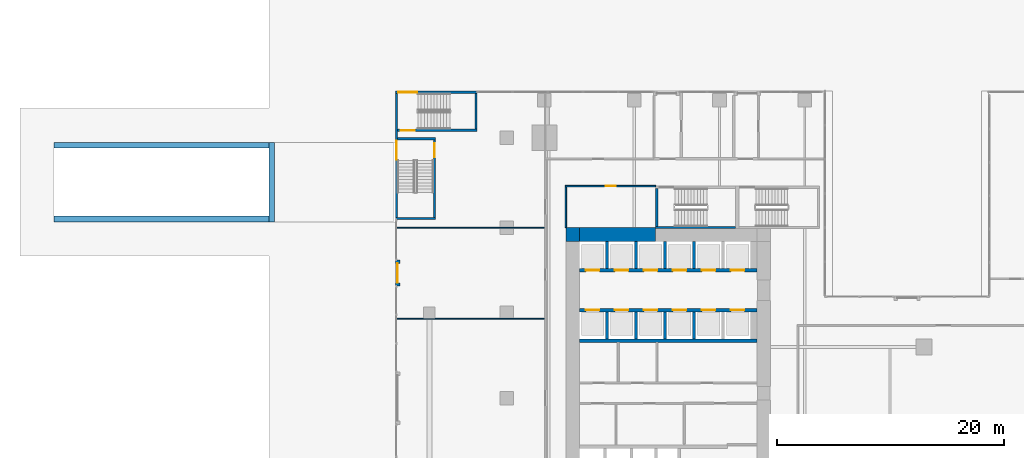
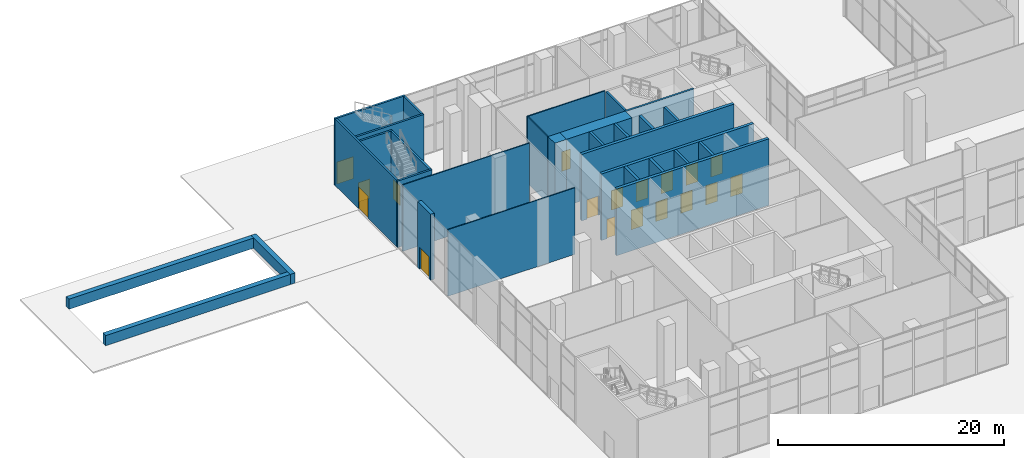
# One storey, part 39 of 52: 30 walls, 18 doors, 18 openings.
"""IFC4 building model written with IfcOpenShell, lengths in metres."""

import ifcopenshell
import ifcopenshell.guid

model = None  # the IFC model being written
_history = None  # IfcOwnerHistory: only IFC2X3 demands one
_inside = {}  # id of a spatial element -> (the spatial element, [elements in it])
_under = {}  # id of a project, library or spatial element -> (it, [spatial elements below it])
_declared = {}  # id of a project -> (the project, [libraries it declares])
_typed = {}  # id of a type object -> (the type object, [elements of that type])
_made_of = {}  # id of a material, layer set ... -> (it, [elements and type objects made of it])


def new_model(schema):
    """Start an empty IFC model of exactly this schema.

    Asked for "IFC4X3", IfcOpenShell would pick the latest addendum, in which some entities
    have other attributes; the version numbers below select the first issue.
    IFC2X3 requires an IfcOwnerHistory on every rooted entity: one is made here for all.
    """
    global model, _history
    if schema == "IFC4X3":
        model = ifcopenshell.file(schema_version=(4, 3, 0, 0))
    else:
        model = ifcopenshell.file(schema=schema)
    _inside.clear()
    _under.clear()
    _declared.clear()
    _typed.clear()
    _made_of.clear()
    _history = None
    if model.schema == "IFC2X3":
        org = make("IfcOrganization", Name="unknown")
        user = make(
            "IfcPersonAndOrganization",
            ThePerson=make("IfcPerson", FamilyName="unknown"),
            TheOrganization=org,
        )
        app = make(
            "IfcApplication",
            ApplicationDeveloper=org,
            Version="unknown",
            ApplicationFullName="unknown",
            ApplicationIdentifier="unknown",
        )
        _history = make(
            "IfcOwnerHistory",
            OwningUser=user,
            OwningApplication=app,
            ChangeAction="ADDED",
            CreationDate=0,
        )
    return model


def make(cls, **values):
    """One entity of the class cls with the attributes given. An attribute that is None is left unset."""
    return model.create_entity(
        cls, **{name: value for name, value in values.items() if value is not None}
    )


def rooted(cls, **values):
    """An entity with a GlobalId (a new one), such as an element, a storey or a relation."""
    return make(cls, GlobalId=ifcopenshell.guid.new(), OwnerHistory=_history, **values)


def si_unit(unit_type, name, prefix=None):
    """IfcSIUnit, for example si_unit("LENGTHUNIT", "METRE", prefix="MILLI")."""
    return make("IfcSIUnit", UnitType=unit_type, Prefix=prefix, Name=name)


def assignment(units):
    """IfcUnitAssignment: the units of a project."""
    return None if units is None else make("IfcUnitAssignment", Units=units)


def point(xyz):
    """IfcCartesianPoint."""
    return None if xyz is None else make("IfcCartesianPoint", Coordinates=xyz)


def direction(xyz):
    """IfcDirection."""
    return None if xyz is None else make("IfcDirection", DirectionRatios=xyz)


def frame(location, z_axis=None, x_axis=None):
    """IfcAxis2Placement3D, a coordinate frame: its origin and axes. An axis left out is left unset."""
    return make(
        "IfcAxis2Placement3D",
        Location=point(location),
        Axis=direction(z_axis),
        RefDirection=direction(x_axis),
    )


def frame_2d(location, x_axis=None):
    """IfcAxis2Placement2D, a coordinate frame in the plane: its origin and x axis."""
    return make(
        "IfcAxis2Placement2D", Location=point(location), RefDirection=direction(x_axis)
    )


def origin():
    """The frame at (0, 0, 0) with its axes left unset."""
    return frame((0.0, 0.0, 0.0))


def place(relative_to, where):
    """IfcLocalPlacement: puts the frame where relative to a parent placement (None: the world)."""
    return make(
        "IfcLocalPlacement", PlacementRelTo=relative_to, RelativePlacement=where
    )


def context(
    kind, dimensions, precision=None, world=None, true_north=None, identifier=None
):
    """IfcGeometricRepresentationContext, for example the 3D "Model" context."""
    return make(
        "IfcGeometricRepresentationContext",
        ContextIdentifier=identifier,
        ContextType=kind,
        CoordinateSpaceDimension=dimensions,
        Precision=precision,
        WorldCoordinateSystem=world,
        TrueNorth=true_north,
    )


def subcontext(parent, identifier, kind, view, scale=None):
    """IfcGeometricRepresentationSubContext, for example "Body" below "Model"."""
    return make(
        "IfcGeometricRepresentationSubContext",
        ContextIdentifier=identifier,
        ContextType=kind,
        ParentContext=parent,
        TargetScale=scale,
        TargetView=view,
    )


def project(units=None, contexts=None):
    """IfcProject with its units and contexts."""
    return rooted(
        "IfcProject",
        Name="project",
        RepresentationContexts=contexts,
        UnitsInContext=assignment(units),
    )


def spatial(cls, under=None, at=None, **own):
    """A site, building, storey or space (cls), placed at a placement, below another one or the project."""
    s = rooted(cls, ObjectPlacement=at, **own)
    if under is not None:
        _under.setdefault(under.id(), (under, []))[1].append(s)
    return s


def profile(cls, at=None, kind="AREA", **sizes):
    """A parametric profile (cls). Its sizes go by their IFC names, for example OverallWidth=200.0."""
    return make(cls, ProfileType=kind, Position=at, **sizes)


def rectangle(**sizes):
    """IfcRectangleProfileDef."""
    return profile("IfcRectangleProfileDef", **sizes)


def extrude(swept, where, along, depth):
    """IfcExtrudedAreaSolid: the profile swept, set in the frame where, extruded along a direction by depth."""
    return make(
        "IfcExtrudedAreaSolid",
        SweptArea=swept,
        Position=where,
        ExtrudedDirection=direction(along),
        Depth=depth,
    )


def shape(context_of_items, identifier, shape_type, items):
    """IfcShapeRepresentation: the items that make up one representation, for example the "Body"."""
    return make(
        "IfcShapeRepresentation",
        ContextOfItems=context_of_items,
        RepresentationIdentifier=identifier,
        RepresentationType=shape_type,
        Items=items,
    )


def source(mapping_origin, context_of_items, identifier, shape_type, items):
    """IfcRepresentationMap: a shape defined once, which mapped items show again and again."""
    return make(
        "IfcRepresentationMap",
        MappingOrigin=mapping_origin,
        MappedRepresentation=shape(context_of_items, identifier, shape_type, items),
    )


def transform(
    local_origin,
    x_axis=None,
    y_axis=None,
    z_axis=None,
    scale=None,
    scale2=None,
    scale3=None,
    uniform=True,
):
    """IfcCartesianTransformationOperator3D, or its non-uniform kind. x_axis, y_axis, z_axis: its Axis1, 2, 3."""
    if uniform:
        return make(
            "IfcCartesianTransformationOperator3D",
            Axis1=direction(x_axis),
            Axis2=direction(y_axis),
            LocalOrigin=point(local_origin),
            Scale=scale,
            Axis3=direction(z_axis),
        )
    return make(
        "IfcCartesianTransformationOperator3DnonUniform",
        Axis1=direction(x_axis),
        Axis2=direction(y_axis),
        LocalOrigin=point(local_origin),
        Scale=scale,
        Axis3=direction(z_axis),
        Scale2=scale2,
        Scale3=scale3,
    )


def mapped(mapping_source, mapping_target):
    """IfcMappedItem: shows the shape of a source again, moved by a transform."""
    return make(
        "IfcMappedItem", MappingSource=mapping_source, MappingTarget=mapping_target
    )


def material(Name=None, Category=None):
    """IfcMaterial."""
    return make("IfcMaterial", Name=Name, Category=Category)


def layer(
    of_material, thickness, ventilated=None, Name=None, Category=None, Priority=None
):
    """IfcMaterialLayer: one layer of a wall or slab, of a material (None: an air gap)."""
    return make(
        "IfcMaterialLayer",
        Material=of_material,
        LayerThickness=thickness,
        IsVentilated=ventilated,
        Name=Name,
        Category=Category,
        Priority=Priority,
    )


def layer_set(layers, Name=None):
    """IfcMaterialLayerSet."""
    return make("IfcMaterialLayerSet", MaterialLayers=layers, LayerSetName=Name)


def made_of(thing, what):
    """Note that an element or type object is made of a material, layer set ...; save() writes the relation."""
    if what is not None:
        _made_of.setdefault(what.id(), (what, []))[1].append(thing)
    return thing


def type_object(cls, material=None, **own):
    """A type object (cls), such as IfcWallType, which elements share."""
    return made_of(rooted(cls, **own), material)


def element(
    cls,
    number,
    at=None,
    inside=None,
    cuts=None,
    type_object=None,
    material=None,
    context=None,
    identifier="Body",
    shape_type=None,
    held_by="IfcProductDefinitionShape",
    body=None,
    shapes=None,
    **own,
):
    """One element of the class cls, such as IfcWall. Its Tag is "e" and its number.

    at: its placement. inside: the storey or other place that contains it. cuts: it is an
    opening in that element (IfcRelVoidsElement). A single representation is given by context,
    identifier, shape_type and body (its items); several are given by shapes. held_by: the class
    of the entity that holds the representations. save() writes the other relations.
    """
    e = rooted(cls, Tag="e%d" % number, ObjectPlacement=at, **own)
    if body is not None:
        shapes = [shape(context, identifier, shape_type, body)]
    if shapes is not None:
        e.Representation = make(held_by, Representations=shapes)
    if inside is not None:
        _inside.setdefault(inside.id(), (inside, []))[1].append(e)
    if cuts is not None:
        rooted(
            "IfcRelVoidsElement", RelatingBuildingElement=cuts, RelatedOpeningElement=e
        )
    if type_object is not None:
        _typed.setdefault(type_object.id(), (type_object, []))[1].append(e)
    return made_of(e, material)


def fill(opening, filler):
    """IfcRelFillsElement: the door or window that sits in an opening."""
    return rooted(
        "IfcRelFillsElement",
        RelatingOpeningElement=opening,
        RelatedBuildingElement=filler,
    )


def aggregate(whole, parts):
    """IfcRelAggregates: a whole, such as a stair, and the parts it consists of."""
    return rooted("IfcRelAggregates", RelatingObject=whole, RelatedObjects=parts)


def save(model, path):
    """Write the relations noted so far, then the file.

    IfcRelAggregates (storeys below a building ...), IfcRelContainedInSpatialStructure (elements
    in a storey), IfcRelDefinesByType, IfcRelAssociatesMaterial and IfcRelDeclares: one each for
    every whole, place, type object, material and project.
    """
    for whole, parts in _under.values():
        aggregate(whole, parts)
    for where, things in _inside.values():
        rooted(
            "IfcRelContainedInSpatialStructure",
            RelatedElements=things,
            RelatingStructure=where,
        )
    for kind, things in _typed.values():
        rooted("IfcRelDefinesByType", RelatedObjects=things, RelatingType=kind)
    for what, things in _made_of.values():
        rooted("IfcRelAssociatesMaterial", RelatedObjects=things, RelatingMaterial=what)
    for by, libraries in _declared.values():
        rooted("IfcRelDeclares", RelatingContext=by, RelatedDefinitions=libraries)
    model.write(path)


model = new_model("IFC4")

# Units and contexts
model_context = context("Model", 3, precision=1e-05, world=origin(), true_north=direction((0.0, 1.0)))
body_context = subcontext(model_context, "Body", "Model", "MODEL_VIEW")
ifc_project = project(units=[si_unit("LENGTHUNIT", "METRE"), si_unit("AREAUNIT", "SQUARE_METRE"), si_unit("VOLUMEUNIT", "CUBIC_METRE"), si_unit("PLANEANGLEUNIT", "RADIAN"), si_unit("MASSUNIT", "GRAM", prefix="KILO")], contexts=[model_context])

# Site, building, storey
site_placement = place(None, origin())
site = spatial("IfcSite", under=ifc_project, at=site_placement, CompositionType="ELEMENT")
building_placement = place(site_placement, origin())
building = spatial("IfcBuilding", under=site, at=building_placement, Name="Khomas Fold Tower", CompositionType="ELEMENT")
storey_placement = place(building_placement, origin())
storey = spatial("IfcBuildingStorey", under=building, at=storey_placement, Name="L00", CompositionType="ELEMENT", Elevation=0.0)

# Walls
ifc_material_1 = material(Name="Concrete C70/85", Category="concrete")
ifc_layer_1 = layer(ifc_material_1, 1.199951171875)
ifc_layer_set_1 = layer_set([ifc_layer_1], Name="Concrete C70/85")
wall_type_1 = type_object("IfcWallType", Name="Core wall 1200", PredefinedType="SHEAR", material=ifc_layer_set_1)
shared_shape_1 = source(origin(), body_context, "Body", "SweptSolid", [
    extrude(rectangle(XDim=6.699951171875, YDim=1.199951171875, at=frame_2d((3.35009765625, 0.0))), origin(), (0.0, 0.0, 1.0), 7.199951171875),
])
wall_1_placement = place(storey_placement, frame((7.199951171875, 41.39990234375, 0.0), z_axis=(0.0, 0.0, 1.0), x_axis=(1.0, 0.0, 0.0)))
element("IfcWall", 1, at=wall_1_placement, inside=storey, type_object=wall_type_1, Name="Core wall CW-L-N-B2", PredefinedType="SHEAR", context=body_context, shape_type="MappedRepresentation", body=[
    mapped(shared_shape_1, transform((0.0, 0.0, 0.0))),
])
ifc_material_2 = material(Name="Concrete C70/85", Category="concrete")
ifc_layer_2 = layer(ifc_material_2, 1.199951171875)
ifc_layer_set_2 = layer_set([ifc_layer_2], Name="Concrete C70/85")
wall_type_2 = type_object("IfcWallType", Name="Core corner wall 1200", PredefinedType="SHEAR", material=ifc_layer_set_2)
shared_shape_2 = source(origin(), body_context, "Body", "SweptSolid", [
    extrude(rectangle(XDim=1.199951171875, YDim=1.199951171875, at=frame_2d((0.60009765625, 0.0))), origin(), (0.0, 0.0, 1.0), 7.199951171875),
])
wall_2_placement = place(storey_placement, frame((6.0, 41.39990234375, 0.0), z_axis=(0.0, 0.0, 1.0), x_axis=(1.0, 0.0, 0.0)))
element("IfcWall", 2, at=wall_2_placement, inside=storey, type_object=wall_type_2, Name="Core wall CW-L-NW-B2", PredefinedType="SHEAR", context=body_context, shape_type="MappedRepresentation", body=[
    mapped(shared_shape_2, transform((0.0, 0.0, 0.0))),
])
ifc_material_3 = material(Name="Concrete C50/60", Category="concrete")
ifc_layer_3 = layer(ifc_material_3, 0.199951171875)
ifc_layer_set_3 = layer_set([ifc_layer_3], Name="Concrete C50/60")
wall_type_3 = type_object("IfcWallType", Name="Stair wall 200", PredefinedType="SHEAR", material=ifc_layer_set_3)
shared_shape_3 = source(origin(), body_context, "Body", "SweptSolid", [
    extrude(rectangle(XDim=7.0, YDim=0.199951171875, at=frame_2d((3.5, 0.0))), origin(), (0.0, 0.0, 1.0), 7.199951171875),
])
wall_3_placement = place(storey_placement, frame((13.89990234375, 42.0, 0.0), z_axis=(0.0, 0.0, 1.0), x_axis=(1.0, 0.0, 0.0)))
element("IfcWall", 3, at=wall_3_placement, inside=storey, type_object=wall_type_3, Name="Stair wall SW-ST1-S", PredefinedType="SHEAR", context=body_context, shape_type="MappedRepresentation", body=[
    mapped(shared_shape_3, transform((0.0, 0.0, 0.0))),
])

# Wall, opening, door
ifc_material_4 = material(Name="Concrete C30/37", Category="concrete")
ifc_layer_4 = layer(ifc_material_4, 0.199951171875)
ifc_layer_set_4 = layer_set([ifc_layer_4], Name="Concrete C30/37")
wall_type_4 = type_object("IfcWallType", Name="Stair wall PW5 200", PredefinedType="PARTITIONING", material=ifc_layer_set_4)
wall_4_placement = place(storey_placement, frame((-8.800048828125, 50.550048828125, 0.0), z_axis=(0.0, 0.0, 1.0), x_axis=(1.0, 0.0, 0.0)))
wall_4 = element("IfcWall", 4, at=wall_4_placement, inside=storey, type_object=wall_type_4, Name="Stair wall", PredefinedType="PARTITIONING", context=body_context, shape_type="MappedRepresentation", body=[
    mapped(shared_shape_3, transform((0.0, 0.0, 0.0))),
])
shared_shape_4 = source(origin(), body_context, "Body", "SweptSolid", [
    extrude(rectangle(XDim=1.199951171875, YDim=2.10009765625, at=frame_2d((0.60009765625, 1.050048828125))), frame((0.0, 0.10986328125, 0.0), z_axis=(0.0, -1.0, 0.0), x_axis=(1.0, 0.0, 0.0)), (0.0, 0.0, 1.0), 0.219970703125),
])
opening_1_placement = place(wall_4_placement, frame((0.300048828125, 0.0, 0.0)))
opening_1 = element("IfcOpeningElement", 5, at=opening_1_placement, cuts=wall_4, Name="Opening 0018", PredefinedType="OPENING", context=body_context, shape_type="MappedRepresentation", body=[
    mapped(shared_shape_4, transform((0.0, 0.0, 0.0))),
])
ifc_material_5 = material(Name="Steel door leaf", Category="steel")
door_type_1 = type_object("IfcDoorType", Name="Stair door 1200x2100 right-hand", OperationType="SINGLE_SWING_RIGHT", PredefinedType="DOOR", material=ifc_material_5)
shared_shape_5 = source(origin(), body_context, "Body", "SweptSolid", [
    extrude(rectangle(XDim=1.199951171875, YDim=2.10009765625, at=frame_2d((0.60009765625, 1.050048828125))), frame((0.0, 0.02490234375, 0.0), z_axis=(0.0, -1.0, 0.0), x_axis=(1.0, 0.0, 0.0)), (0.0, 0.0, 1.0), 0.050048828125),
])
door_1_placement = place(opening_1_placement, origin())
door_1 = element("IfcDoor", 6, at=door_1_placement, inside=storey, type_object=door_type_1, Name="Stair door", OperationType="SINGLE_SWING_RIGHT", OverallHeight=2.10009765625, OverallWidth=1.199951171875, PredefinedType="DOOR", context=body_context, shape_type="MappedRepresentation", body=[
    mapped(shared_shape_5, transform((0.0, 0.0, 0.0))),
])
fill(opening_1, door_1)

# Walls
shared_shape_6 = source(origin(), body_context, "Body", "SweptSolid", [
    extrude(rectangle(XDim=3.349853515625, YDim=0.199951171875, at=frame_2d((1.6748046875, 0.0))), origin(), (0.0, 0.0, 1.0), 7.199951171875),
])
wall_5_placement = place(storey_placement, frame((14.0, 42.10009765625, 0.0), z_axis=(0.0, 0.0, 1.0), x_axis=(0.0, 1.0, 0.0)))
element("IfcWall", 7, at=wall_5_placement, inside=storey, type_object=wall_type_3, Name="Stair wall SW-ST1-W", PredefinedType="SHEAR", context=body_context, shape_type="MappedRepresentation", body=[
    mapped(shared_shape_6, transform((0.0, 0.0, 0.0))),
])
ifc_material_6 = material(Name="Concrete C50/60", Category="concrete")
ifc_layer_5 = layer(ifc_material_6, 0.300048828125)
ifc_layer_set_5 = layer_set([ifc_layer_5], Name="Concrete C50/60")
wall_type_5 = type_object("IfcWallType", Name="Shaft wall 300", PredefinedType="STANDARD", material=ifc_layer_set_5)
shared_shape_7 = source(origin(), body_context, "Body", "SweptSolid", [
    extrude(rectangle(XDim=15.60009765625, YDim=0.300048828125, at=frame_2d((7.800048828125, 0.0))), origin(), (0.0, 0.0, 1.0), 7.199951171875),
])
wall_6_placement = place(storey_placement, frame((7.199951171875, 32.050048828125, 0.0), z_axis=(0.0, 0.0, 1.0), x_axis=(1.0, 0.0, 0.0)))
element("IfcWall", 8, at=wall_6_placement, inside=storey, type_object=wall_type_5, Name="Core wall SW-HRN-B", PredefinedType="STANDARD", context=body_context, shape_type="MappedRepresentation", body=[
    mapped(shared_shape_7, transform((0.0, 0.0, 0.0))),
])

# Wall, openings, doors
wall_7_placement = place(storey_placement, frame((7.199951171875, 38.25, 0.0), z_axis=(0.0, 0.0, 1.0), x_axis=(1.0, 0.0, 0.0)))
wall_7 = element("IfcWall", 9, at=wall_7_placement, inside=storey, type_object=wall_type_5, Name="Core wall SW-LRN-F", PredefinedType="STANDARD", context=body_context, shape_type="MappedRepresentation", body=[
    mapped(shared_shape_7, transform((0.0, 0.0, 0.0))),
])
shared_shape_8 = source(origin(), body_context, "Body", "SweptSolid", [
    extrude(rectangle(XDim=1.199951171875, YDim=2.10009765625, at=frame_2d((0.60009765625, 1.050048828125))), frame((0.0, 0.159912109375, 0.0), z_axis=(0.0, -1.0, 0.0), x_axis=(1.0, 0.0, 0.0)), (0.0, 0.0, 1.0), 0.320068359375),
])
opening_2_placement = place(wall_7_placement, frame((0.550048828125, 0.0, 0.0)))
opening_2 = element("IfcOpeningElement", 10, at=opening_2_placement, cuts=wall_7, Name="Opening LD-LR5", PredefinedType="OPENING", context=body_context, shape_type="MappedRepresentation", body=[
    mapped(shared_shape_8, transform((0.0, 0.0, 0.0))),
])
opening_3_placement = place(wall_7_placement, frame((3.10009765625, 0.0, 0.0)))
opening_3 = element("IfcOpeningElement", 11, at=opening_3_placement, cuts=wall_7, Name="Opening LD-LR6", PredefinedType="OPENING", context=body_context, shape_type="MappedRepresentation", body=[
    mapped(shared_shape_8, transform((0.0, 0.0, 0.0))),
])
opening_4_placement = place(wall_7_placement, frame((5.64990234375, 0.0, 0.0)))
opening_4 = element("IfcOpeningElement", 12, at=opening_4_placement, cuts=wall_7, Name="Opening LD-LR7", PredefinedType="OPENING", context=body_context, shape_type="MappedRepresentation", body=[
    mapped(shared_shape_8, transform((0.0, 0.0, 0.0))),
])
opening_5_placement = place(wall_7_placement, frame((8.199951171875, 0.0, 0.0)))
opening_5 = element("IfcOpeningElement", 13, at=opening_5_placement, cuts=wall_7, Name="Opening LD-LR8", PredefinedType="OPENING", context=body_context, shape_type="MappedRepresentation", body=[
    mapped(shared_shape_8, transform((0.0, 0.0, 0.0))),
])
opening_6_placement = place(wall_7_placement, frame((10.75, 0.0, 0.0)))
opening_6 = element("IfcOpeningElement", 14, at=opening_6_placement, cuts=wall_7, Name="Opening LD-S3", PredefinedType="OPENING", context=body_context, shape_type="MappedRepresentation", body=[
    mapped(shared_shape_8, transform((0.0, 0.0, 0.0))),
])
opening_7_placement = place(wall_7_placement, frame((13.300048828125, 0.0, 0.0)))
opening_7 = element("IfcOpeningElement", 15, at=opening_7_placement, cuts=wall_7, Name="Opening LD-S4", PredefinedType="OPENING", context=body_context, shape_type="MappedRepresentation", body=[
    mapped(shared_shape_8, transform((0.0, 0.0, 0.0))),
])
ifc_material_7 = material(Name="Steel door leaf", Category="steel")
door_type_2 = type_object("IfcDoorType", Name="Landing door 1200x2100", OperationType="DOUBLE_DOOR_SLIDING", PredefinedType="DOOR", material=ifc_material_7)
door_2_placement = place(opening_2_placement, origin())
door_2 = element("IfcDoor", 16, at=door_2_placement, inside=storey, type_object=door_type_2, Name="Lift landing door", OperationType="DOUBLE_DOOR_SLIDING", OverallHeight=2.10009765625, OverallWidth=1.199951171875, PredefinedType="DOOR", context=body_context, shape_type="MappedRepresentation", body=[
    mapped(shared_shape_5, transform((0.0, 0.0, 0.0))),
])
fill(opening_2, door_2)
door_3_placement = place(opening_3_placement, origin())
door_3 = element("IfcDoor", 17, at=door_3_placement, inside=storey, type_object=door_type_2, Name="Lift landing door", OperationType="DOUBLE_DOOR_SLIDING", OverallHeight=2.10009765625, OverallWidth=1.199951171875, PredefinedType="DOOR", context=body_context, shape_type="MappedRepresentation", body=[
    mapped(shared_shape_5, transform((0.0, 0.0, 0.0))),
])
fill(opening_3, door_3)
door_4_placement = place(opening_4_placement, origin())
door_4 = element("IfcDoor", 18, at=door_4_placement, inside=storey, type_object=door_type_2, Name="Lift landing door", OperationType="DOUBLE_DOOR_SLIDING", OverallHeight=2.10009765625, OverallWidth=1.199951171875, PredefinedType="DOOR", context=body_context, shape_type="MappedRepresentation", body=[
    mapped(shared_shape_5, transform((0.0, 0.0, 0.0))),
])
fill(opening_4, door_4)
door_5_placement = place(opening_5_placement, origin())
door_5 = element("IfcDoor", 19, at=door_5_placement, inside=storey, type_object=door_type_2, Name="Lift landing door", OperationType="DOUBLE_DOOR_SLIDING", OverallHeight=2.10009765625, OverallWidth=1.199951171875, PredefinedType="DOOR", context=body_context, shape_type="MappedRepresentation", body=[
    mapped(shared_shape_5, transform((0.0, 0.0, 0.0))),
])
fill(opening_5, door_5)
door_6_placement = place(opening_6_placement, origin())
door_6 = element("IfcDoor", 20, at=door_6_placement, inside=storey, type_object=door_type_2, Name="Lift landing door", OperationType="DOUBLE_DOOR_SLIDING", OverallHeight=2.10009765625, OverallWidth=1.199951171875, PredefinedType="DOOR", context=body_context, shape_type="MappedRepresentation", body=[
    mapped(shared_shape_5, transform((0.0, 0.0, 0.0))),
])
fill(opening_6, door_6)
door_7_placement = place(opening_7_placement, origin())
door_7 = element("IfcDoor", 21, at=door_7_placement, inside=storey, type_object=door_type_2, Name="Lift landing door", OperationType="DOUBLE_DOOR_SLIDING", OverallHeight=2.10009765625, OverallWidth=1.199951171875, PredefinedType="DOOR", context=body_context, shape_type="MappedRepresentation", body=[
    mapped(shared_shape_5, transform((0.0, 0.0, 0.0))),
])
fill(opening_7, door_7)

wall_8_placement = place(storey_placement, frame((7.199951171875, 34.75, 0.0), z_axis=(0.0, 0.0, 1.0), x_axis=(1.0, 0.0, 0.0)))
wall_8 = element("IfcWall", 22, at=wall_8_placement, inside=storey, type_object=wall_type_5, Name="Core wall SW-LRS-F", PredefinedType="STANDARD", context=body_context, shape_type="MappedRepresentation", body=[
    mapped(shared_shape_7, transform((0.0, 0.0, 0.0))),
])
opening_8_placement = place(wall_8_placement, frame((0.550048828125, 0.0, 0.0)))
opening_8 = element("IfcOpeningElement", 23, at=opening_8_placement, cuts=wall_8, Name="Opening LD-LR1", PredefinedType="OPENING", context=body_context, shape_type="MappedRepresentation", body=[
    mapped(shared_shape_8, transform((0.0, 0.0, 0.0))),
])
opening_9_placement = place(wall_8_placement, frame((3.10009765625, 0.0, 0.0)))
opening_9 = element("IfcOpeningElement", 24, at=opening_9_placement, cuts=wall_8, Name="Opening LD-LR2", PredefinedType="OPENING", context=body_context, shape_type="MappedRepresentation", body=[
    mapped(shared_shape_8, transform((0.0, 0.0, 0.0))),
])
opening_10_placement = place(wall_8_placement, frame((5.64990234375, 0.0, 0.0)))
opening_10 = element("IfcOpeningElement", 25, at=opening_10_placement, cuts=wall_8, Name="Opening LD-LR3", PredefinedType="OPENING", context=body_context, shape_type="MappedRepresentation", body=[
    mapped(shared_shape_8, transform((0.0, 0.0, 0.0))),
])
opening_11_placement = place(wall_8_placement, frame((8.199951171875, 0.0, 0.0)))
opening_11 = element("IfcOpeningElement", 26, at=opening_11_placement, cuts=wall_8, Name="Opening LD-LR4", PredefinedType="OPENING", context=body_context, shape_type="MappedRepresentation", body=[
    mapped(shared_shape_8, transform((0.0, 0.0, 0.0))),
])
opening_12_placement = place(wall_8_placement, frame((10.75, 0.0, 0.0)))
opening_12 = element("IfcOpeningElement", 27, at=opening_12_placement, cuts=wall_8, Name="Opening LD-S1", PredefinedType="OPENING", context=body_context, shape_type="MappedRepresentation", body=[
    mapped(shared_shape_8, transform((0.0, 0.0, 0.0))),
])
opening_13_placement = place(wall_8_placement, frame((13.300048828125, 0.0, 0.0)))
opening_13 = element("IfcOpeningElement", 28, at=opening_13_placement, cuts=wall_8, Name="Opening LD-S2", PredefinedType="OPENING", context=body_context, shape_type="MappedRepresentation", body=[
    mapped(shared_shape_8, transform((0.0, 0.0, 0.0))),
])
door_8_placement = place(opening_8_placement, origin())
door_8 = element("IfcDoor", 29, at=door_8_placement, inside=storey, type_object=door_type_2, Name="Lift landing door", OperationType="DOUBLE_DOOR_SLIDING", OverallHeight=2.10009765625, OverallWidth=1.199951171875, PredefinedType="DOOR", context=body_context, shape_type="MappedRepresentation", body=[
    mapped(shared_shape_5, transform((0.0, 0.0, 0.0))),
])
fill(opening_8, door_8)
door_9_placement = place(opening_9_placement, origin())
door_9 = element("IfcDoor", 30, at=door_9_placement, inside=storey, type_object=door_type_2, Name="Lift landing door", OperationType="DOUBLE_DOOR_SLIDING", OverallHeight=2.10009765625, OverallWidth=1.199951171875, PredefinedType="DOOR", context=body_context, shape_type="MappedRepresentation", body=[
    mapped(shared_shape_5, transform((0.0, 0.0, 0.0))),
])
fill(opening_9, door_9)
door_10_placement = place(opening_10_placement, origin())
door_10 = element("IfcDoor", 31, at=door_10_placement, inside=storey, type_object=door_type_2, Name="Lift landing door", OperationType="DOUBLE_DOOR_SLIDING", OverallHeight=2.10009765625, OverallWidth=1.199951171875, PredefinedType="DOOR", context=body_context, shape_type="MappedRepresentation", body=[
    mapped(shared_shape_5, transform((0.0, 0.0, 0.0))),
])
fill(opening_10, door_10)
door_11_placement = place(opening_11_placement, origin())
door_11 = element("IfcDoor", 32, at=door_11_placement, inside=storey, type_object=door_type_2, Name="Lift landing door", OperationType="DOUBLE_DOOR_SLIDING", OverallHeight=2.10009765625, OverallWidth=1.199951171875, PredefinedType="DOOR", context=body_context, shape_type="MappedRepresentation", body=[
    mapped(shared_shape_5, transform((0.0, 0.0, 0.0))),
])
fill(opening_11, door_11)
door_12_placement = place(opening_12_placement, origin())
door_12 = element("IfcDoor", 33, at=door_12_placement, inside=storey, type_object=door_type_2, Name="Lift landing door", OperationType="DOUBLE_DOOR_SLIDING", OverallHeight=2.10009765625, OverallWidth=1.199951171875, PredefinedType="DOOR", context=body_context, shape_type="MappedRepresentation", body=[
    mapped(shared_shape_5, transform((0.0, 0.0, 0.0))),
])
fill(opening_12, door_12)
door_13_placement = place(opening_13_placement, origin())
door_13 = element("IfcDoor", 34, at=door_13_placement, inside=storey, type_object=door_type_2, Name="Lift landing door", OperationType="DOUBLE_DOOR_SLIDING", OverallHeight=2.10009765625, OverallWidth=1.199951171875, PredefinedType="DOOR", context=body_context, shape_type="MappedRepresentation", body=[
    mapped(shared_shape_5, transform((0.0, 0.0, 0.0))),
])
fill(opening_13, door_13)

# Walls
ifc_material_8 = material(Name="Concrete C50/60", Category="concrete")
ifc_layer_6 = layer(ifc_material_8, 0.25)
ifc_layer_set_6 = layer_set([ifc_layer_6], Name="Concrete C50/60")
wall_type_6 = type_object("IfcWallType", Name="Shaft wall 250", PredefinedType="STANDARD", material=ifc_layer_set_6)
shared_shape_9 = source(origin(), body_context, "Body", "SweptSolid", [
    extrude(rectangle(XDim=2.400146484375, YDim=0.25, at=frame_2d((1.2001953125, 0.0))), origin(), (0.0, 0.0, 1.0), 7.199951171875),
])
for number, where, z_axis, x_axis, name in (
    (35, (9.625, 38.39990234375, 0.0), (0.0, 0.0, 1.0), (0.0, 1.0, 0.0), "Core wall SW-LRN-P1"),
    (36, (12.175048828125, 38.39990234375, 0.0), (0.0, 0.0, 1.0), (0.0, 1.0, 0.0), "Core wall SW-LRN-P2"),
    (37, (14.72509765625, 38.39990234375, 0.0), (0.0, 0.0, 1.0), (0.0, 1.0, 0.0), "Core wall SW-LRN-P3"),
    (38, (17.27490234375, 38.39990234375, 0.0), (0.0, 0.0, 1.0), (0.0, 1.0, 0.0), "Core wall SW-LRN-P4"),
    (39, (9.625, 32.199951171875, 0.0), (0.0, 0.0, 1.0), (0.0, 1.0, 0.0), "Core wall SW-LRS-P1"),
    (40, (12.175048828125, 32.199951171875, 0.0), (0.0, 0.0, 1.0), (0.0, 1.0, 0.0), "Core wall SW-LRS-P2"),
    (41, (14.72509765625, 32.199951171875, 0.0), (0.0, 0.0, 1.0), (0.0, 1.0, 0.0), "Core wall SW-LRS-P3"),
    (42, (17.27490234375, 32.199951171875, 0.0), (0.0, 0.0, 1.0), (0.0, 1.0, 0.0), "Core wall SW-LRS-P4"),
):
    element("IfcWall", number, at=place(storey_placement, frame(where, z_axis=z_axis, x_axis=x_axis)), inside=storey, type_object=wall_type_6, Name=name, PredefinedType="STANDARD", context=body_context, shape_type="MappedRepresentation", body=[
        mapped(shared_shape_9, transform((0.0, 0.0, 0.0))),
    ])

# Wall, opening, door
ifc_material_9 = material(Name="Concrete C40/50", Category="concrete")
ifc_layer_7 = layer(ifc_material_9, 0.39990234375)
ifc_layer_set_7 = layer_set([ifc_layer_7], Name="Concrete C40/50")
wall_type_7 = type_object("IfcWallType", Name="Stone-clad concrete wall 400", PredefinedType="SOLIDWALL", material=ifc_layer_set_7)
shared_shape_10 = source(origin(), body_context, "Body", "SweptSolid", [
    extrude(rectangle(XDim=2.2998046875, YDim=0.39990234375, at=frame_2d((1.14990234375, 0.0))), origin(), (0.0, 0.0, 1.0), 7.14990234375),
])
wall_9_placement = place(storey_placement, frame((-8.800048828125, 39.14990234375, 0.0), z_axis=(0.0, 0.0, 1.0), x_axis=(0.0, -1.0, 0.0)))
wall_9 = element("IfcWall", 43, at=wall_9_placement, inside=storey, type_object=wall_type_7, Name="Podium wall", PredefinedType="SOLIDWALL", context=body_context, shape_type="MappedRepresentation", body=[
    mapped(shared_shape_10, transform((0.0, 0.0, 0.0))),
])
shared_shape_11 = source(origin(), body_context, "Body", "SweptSolid", [
    extrude(rectangle(XDim=1.699951171875, YDim=2.39990234375, at=frame_2d((0.85009765625, 1.199951171875))), frame((0.0, 0.2099609375, 0.0), z_axis=(0.0, -1.0, 0.0), x_axis=(1.0, 0.0, 0.0)), (0.0, 0.0, 1.0), 0.419921875),
])
opening_14_placement = place(wall_9_placement, frame((2.0, 0.0, 0.0), z_axis=(0.0, 0.0, 1.0), x_axis=(-1.0, 0.0, 0.0)))
opening_14 = element("IfcOpeningElement", 44, at=opening_14_placement, cuts=wall_9, Name="Opening FS1", PredefinedType="OPENING", context=body_context, shape_type="MappedRepresentation", body=[
    mapped(shared_shape_11, transform((0.0, 0.0, 0.0))),
])
ifc_material_10 = material(Name="Aluminium framed glazing", Category="aluminium")
door_type_3 = type_object("IfcDoorType", Name="Glazed pedestrian door 1700 x 2400", OperationType="DOUBLE_DOOR_SINGLE_SWING", PredefinedType="DOOR", material=ifc_material_10)
shared_shape_12 = source(origin(), body_context, "Body", "SweptSolid", [
    extrude(rectangle(XDim=1.699951171875, YDim=2.39990234375, at=frame_2d((0.85009765625, 1.199951171875))), frame((0.0, 0.02490234375, 0.0), z_axis=(0.0, -1.0, 0.0), x_axis=(1.0, 0.0, 0.0)), (0.0, 0.0, 1.0), 0.050048828125),
])
door_14_placement = place(opening_14_placement, origin())
door_14 = element("IfcDoor", 45, at=door_14_placement, inside=storey, type_object=door_type_3, Name="Exit FS1", OperationType="DOUBLE_DOOR_SINGLE_SWING", OverallHeight=2.39990234375, OverallWidth=1.699951171875, PredefinedType="DOOR", context=body_context, shape_type="MappedRepresentation", body=[
    mapped(shared_shape_12, transform((0.0, 0.0, 0.0))),
])
fill(opening_14, door_14)

# Walls
ifc_material_11 = material(Name="Concrete C40/50", Category="concrete")
ifc_layer_8 = layer(ifc_material_11, 0.5)
ifc_layer_set_8 = layer_set([ifc_layer_8], Name="Concrete C40/50")
wall_type_8 = type_object("IfcWallType", Name="Ramp parapet wall 500", PredefinedType="PARAPET", material=ifc_layer_set_8)
shared_shape_13 = source(origin(), body_context, "Body", "SweptSolid", [
    extrude(rectangle(XDim=18.896484375, YDim=0.5, at=frame_2d((9.4482421875, 0.0))), origin(), (0.0, 0.0, 1.0), 1.10009765625),
])
for number, where, z_axis, x_axis, name in (
    (46, (-38.99462890625, 42.75, 0.0), (0.0, 0.0, 1.0), (1.0, 0.0, 0.0), "Ramp parapet wall"),
    (47, (-38.99462890625, 49.25, 0.0), (0.0, 0.0, 1.0), (1.0, 0.0, 0.0), "Ramp parapet wall"),
):
    element("IfcWall", number, at=place(storey_placement, frame(where, z_axis=z_axis, x_axis=x_axis)), inside=storey, type_object=wall_type_8, Name=name, PredefinedType="SOLIDWALL", context=body_context, shape_type="MappedRepresentation", body=[
        mapped(shared_shape_13, transform((0.0, 0.0, 0.0))),
    ])
shared_shape_14 = source(origin(), body_context, "Body", "SweptSolid", [
    extrude(rectangle(XDim=7.0, YDim=0.5, at=frame_2d((3.5, 0.0))), origin(), (0.0, 0.0, 1.0), 1.10009765625),
])
wall_10_placement = place(storey_placement, frame((-19.84814453125, 42.5, 0.0), z_axis=(0.0, 0.0, 1.0), x_axis=(0.0, 1.0, 0.0)))
element("IfcWall", 48, at=wall_10_placement, inside=storey, type_object=wall_type_8, Name="Ramp parapet wall", PredefinedType="SOLIDWALL", context=body_context, shape_type="MappedRepresentation", body=[
    mapped(shared_shape_14, transform((0.0, 0.0, 0.0))),
])

# Wall, opening, door
shared_shape_15 = source(origin(), body_context, "Body", "SweptSolid", [
    extrude(rectangle(XDim=7.199951171875, YDim=0.199951171875, at=frame_2d((3.60009765625, 0.0))), origin(), (0.0, 0.0, 1.0), 7.199951171875),
])
wall_11_placement = place(storey_placement, frame((-9.0, 53.89990234375, 0.0), z_axis=(0.0, 0.0, 1.0), x_axis=(1.0, 0.0, 0.0)))
wall_11 = element("IfcWall", 49, at=wall_11_placement, inside=storey, type_object=wall_type_4, Name="Stair wall", PredefinedType="PARTITIONING", context=body_context, shape_type="MappedRepresentation", body=[
    mapped(shared_shape_15, transform((0.0, 0.0, 0.0))),
])
shared_shape_16 = source(origin(), body_context, "Body", "SweptSolid", [
    extrude(rectangle(XDim=1.699951171875, YDim=2.39990234375, at=frame_2d((0.85009765625, 1.199951171875))), frame((0.0, 0.10986328125, 0.0), z_axis=(0.0, -1.0, 0.0), x_axis=(1.0, 0.0, 0.0)), (0.0, 0.0, 1.0), 0.219970703125),
])
opening_15_placement = place(wall_11_placement, frame((0.25, 0.0, 0.0)))
opening_15 = element("IfcOpeningElement", 50, at=opening_15_placement, cuts=wall_11, Name="Opening X7", PredefinedType="OPENING", context=body_context, shape_type="MappedRepresentation", body=[
    mapped(shared_shape_16, transform((0.0, 0.0, 0.0))),
])
ifc_material_12 = material(Name="Steel door leaf", Category="steel")
door_type_4 = type_object("IfcDoorType", Name="Stair discharge door 1700x2400", OperationType="DOUBLE_DOOR_SINGLE_SWING", PredefinedType="DOOR", material=ifc_material_12)
door_15_placement = place(opening_15_placement, origin())
door_15 = element("IfcDoor", 51, at=door_15_placement, inside=storey, type_object=door_type_4, Name="Stair discharge door", OperationType="DOUBLE_DOOR_SINGLE_SWING", OverallHeight=2.39990234375, OverallWidth=1.699951171875, PredefinedType="DOOR", context=body_context, shape_type="MappedRepresentation", body=[
    mapped(shared_shape_12, transform((0.0, 0.0, 0.0))),
])
fill(opening_15, door_15)

shared_shape_17 = source(origin(), body_context, "Body", "SweptSolid", [
    extrude(rectangle(XDim=10.900146484375, YDim=0.199951171875, at=frame_2d((5.4501953125, 0.0))), origin(), (0.0, 0.0, 1.0), 7.199951171875),
])
wall_12_placement = place(storey_placement, frame((-8.89990234375, 42.89990234375, 0.0), z_axis=(0.0, 0.0, 1.0), x_axis=(0.0, 1.0, 0.0)))
wall_12 = element("IfcWall", 52, at=wall_12_placement, inside=storey, type_object=wall_type_4, Name="Stair wall", PredefinedType="PARTITIONING", context=body_context, shape_type="MappedRepresentation", body=[
    mapped(shared_shape_17, transform((0.0, 0.0, 0.0))),
])
opening_16_placement = place(wall_12_placement, frame((5.050048828125, 0.0, 0.0)))
opening_16 = element("IfcOpeningElement", 53, at=opening_16_placement, cuts=wall_12, Name="Opening X8", PredefinedType="OPENING", context=body_context, shape_type="MappedRepresentation", body=[
    mapped(shared_shape_16, transform((0.0, 0.0, 0.0))),
])
door_16_placement = place(opening_16_placement, origin())
door_16 = element("IfcDoor", 54, at=door_16_placement, inside=storey, type_object=door_type_4, Name="Stair discharge door", OperationType="DOUBLE_DOOR_SINGLE_SWING", OverallHeight=2.39990234375, OverallWidth=1.699951171875, PredefinedType="DOOR", context=body_context, shape_type="MappedRepresentation", body=[
    mapped(shared_shape_12, transform((0.0, 0.0, 0.0))),
])
fill(opening_16, door_16)

# Walls
shared_shape_18 = source(origin(), body_context, "Body", "SweptSolid", [
    extrude(rectangle(XDim=3.150146484375, YDim=0.199951171875, at=frame_2d((1.5751953125, 0.0))), origin(), (0.0, 0.0, 1.0), 7.199951171875),
])
wall_13_placement = place(storey_placement, frame((-1.89990234375, 50.64990234375, 0.0), z_axis=(0.0, 0.0, 1.0), x_axis=(0.0, 1.0, 0.0)))
element("IfcWall", 55, at=wall_13_placement, inside=storey, type_object=wall_type_4, Name="Stair wall", PredefinedType="PARTITIONING", context=body_context, shape_type="MappedRepresentation", body=[
    mapped(shared_shape_18, transform((0.0, 0.0, 0.0))),
])
shared_shape_19 = source(origin(), body_context, "Body", "SweptSolid", [
    extrude(rectangle(XDim=3.35009765625, YDim=0.199951171875, at=frame_2d((1.675048828125, 0.0))), origin(), (0.0, 0.0, 1.0), 7.199951171875),
])
wall_14_placement = place(storey_placement, frame((-8.800048828125, 49.800048828125, 0.0), z_axis=(0.0, 0.0, 1.0), x_axis=(1.0, 0.0, 0.0)))
element("IfcWall", 56, at=wall_14_placement, inside=storey, type_object=wall_type_4, Name="Stair wall", PredefinedType="PARTITIONING", context=body_context, shape_type="MappedRepresentation", body=[
    mapped(shared_shape_19, transform((0.0, 0.0, 0.0))),
])
shared_shape_20 = source(origin(), body_context, "Body", "SweptSolid", [
    extrude(rectangle(XDim=3.550048828125, YDim=0.199951171875, at=frame_2d((1.77490234375, 0.0))), origin(), (0.0, 0.0, 1.0), 7.199951171875),
])
wall_15_placement = place(storey_placement, frame((-9.0, 42.800048828125, 0.0), z_axis=(0.0, 0.0, 1.0), x_axis=(1.0, 0.0, 0.0)))
element("IfcWall", 57, at=wall_15_placement, inside=storey, type_object=wall_type_4, Name="Stair wall", PredefinedType="PARTITIONING", context=body_context, shape_type="MappedRepresentation", body=[
    mapped(shared_shape_20, transform((0.0, 0.0, 0.0))),
])

# Wall, opening, door
shared_shape_21 = source(origin(), body_context, "Body", "SweptSolid", [
    extrude(rectangle(XDim=6.800048828125, YDim=0.199951171875, at=frame_2d((3.39990234375, 0.0))), origin(), (0.0, 0.0, 1.0), 7.199951171875),
])
wall_16_placement = place(storey_placement, frame((-5.550048828125, 42.89990234375, 0.0), z_axis=(0.0, 0.0, 1.0), x_axis=(0.0, 1.0, 0.0)))
wall_16 = element("IfcWall", 58, at=wall_16_placement, inside=storey, type_object=wall_type_4, Name="Stair wall", PredefinedType="PARTITIONING", context=body_context, shape_type="MappedRepresentation", body=[
    mapped(shared_shape_21, transform((0.0, 0.0, 0.0))),
])
opening_17_placement = place(wall_16_placement, frame((5.300048828125, 0.0, 0.0)))
opening_17 = element("IfcOpeningElement", 59, at=opening_17_placement, cuts=wall_16, Name="Opening 0017", PredefinedType="OPENING", context=body_context, shape_type="MappedRepresentation", body=[
    mapped(shared_shape_4, transform((0.0, 0.0, 0.0))),
])
ifc_material_13 = material(Name="Steel door leaf", Category="steel")
door_type_5 = type_object("IfcDoorType", Name="Stair door 1200x2100 left-hand", OperationType="SINGLE_SWING_LEFT", PredefinedType="DOOR", material=ifc_material_13)
door_17_placement = place(opening_17_placement, origin())
door_17 = element("IfcDoor", 60, at=door_17_placement, inside=storey, type_object=door_type_5, Name="Stair door", OperationType="SINGLE_SWING_LEFT", OverallHeight=2.10009765625, OverallWidth=1.199951171875, PredefinedType="DOOR", context=body_context, shape_type="MappedRepresentation", body=[
    mapped(shared_shape_5, transform((0.0, 0.0, 0.0))),
])
fill(opening_17, door_17)

# Walls
ifc_material_14 = material(Name="Plasterboard partition")
ifc_layer_9 = layer(ifc_material_14, 0.10009765625)
ifc_layer_set_9 = layer_set([ifc_layer_9], Name="Plasterboard partition")
wall_type_9 = type_object("IfcWallType", Name="Partition PW1 100", PredefinedType="PARTITIONING", material=ifc_layer_set_9)
shared_shape_22 = source(origin(), body_context, "Body", "SweptSolid", [
    extrude(rectangle(XDim=13.0, YDim=0.10009765625, at=frame_2d((6.5, 0.0))), origin(), (0.0, 0.0, 1.0), 7.199951171875),
])
for number, where, z_axis, x_axis, name in (
    (61, (-8.89990234375, 34.0, 0.0), (0.0, 0.0, 1.0), (1.0, 0.0, 0.0), "Partition"),
    (62, (-8.89990234375, 42.0, 0.0), (0.0, 0.0, 1.0), (1.0, 0.0, 0.0), "Partition"),
):
    element("IfcWall", number, at=place(storey_placement, frame(where, z_axis=z_axis, x_axis=x_axis)), inside=storey, type_object=wall_type_9, Name=name, PredefinedType="PARTITIONING", context=body_context, shape_type="MappedRepresentation", body=[
        mapped(shared_shape_22, transform((0.0, 0.0, 0.0))),
    ])
ifc_material_15 = material(Name="Plasterboard partition")
ifc_layer_10 = layer(ifc_material_15, 0.125)
ifc_layer_set_10 = layer_set([ifc_layer_10], Name="Plasterboard partition")
wall_type_10 = type_object("IfcWallType", Name="Partition PW2 125", PredefinedType="PARTITIONING", material=ifc_layer_set_10)
shared_shape_23 = source(origin(), body_context, "Body", "SweptSolid", [
    extrude(rectangle(XDim=3.550048828125, YDim=0.125, at=frame_2d((1.77490234375, 0.0))), origin(), (0.0, 0.0, 1.0), 7.199951171875),
])
wall_17_placement = place(storey_placement, frame((6.0, 42.0, 0.0), z_axis=(0.0, 0.0, 1.0), x_axis=(0.0, 1.0, 0.0)))
element("IfcWall", 63, at=wall_17_placement, inside=storey, type_object=wall_type_10, Name="Partition", PredefinedType="PARTITIONING", context=body_context, shape_type="MappedRepresentation", body=[
    mapped(shared_shape_23, transform((0.0, 0.0, 0.0))),
])

# Wall, opening, door
shared_shape_24 = source(origin(), body_context, "Body", "SweptSolid", [
    extrude(rectangle(XDim=7.949951171875, YDim=0.125, at=frame_2d((3.97509765625, 0.0))), origin(), (0.0, 0.0, 1.0), 7.199951171875),
])
wall_18_placement = place(storey_placement, frame((5.949951171875, 45.64990234375, 0.0), z_axis=(0.0, 0.0, 1.0), x_axis=(1.0, 0.0, 0.0)))
wall_18 = element("IfcWall", 64, at=wall_18_placement, inside=storey, type_object=wall_type_10, Name="Partition", PredefinedType="PARTITIONING", context=body_context, shape_type="MappedRepresentation", body=[
    mapped(shared_shape_24, transform((0.0, 0.0, 0.0))),
])
shared_shape_25 = source(origin(), body_context, "Body", "SweptSolid", [
    extrude(rectangle(XDim=0.89990234375, YDim=2.10009765625, at=frame_2d((0.449951171875, 1.050048828125))), frame((0.0, 0.072509765625, 0.0), z_axis=(0.0, -1.0, 0.0), x_axis=(1.0, 0.0, 0.0)), (0.0, 0.0, 1.0), 0.14501953125),
])
opening_18_placement = place(wall_18_placement, frame((3.550048828125, 0.0, 0.0)))
opening_18 = element("IfcOpeningElement", 65, at=opening_18_placement, cuts=wall_18, Name="Opening 0007", PredefinedType="OPENING", context=body_context, shape_type="MappedRepresentation", body=[
    mapped(shared_shape_25, transform((0.0, 0.0, 0.0))),
])
ifc_material_16 = material(Name="Timber door leaf", Category="wood")
door_type_6 = type_object("IfcDoorType", Name="Door 900x2100 left-hand", OperationType="SINGLE_SWING_LEFT", PredefinedType="DOOR", material=ifc_material_16)
shared_shape_26 = source(origin(), body_context, "Body", "SweptSolid", [
    extrude(rectangle(XDim=0.89990234375, YDim=2.10009765625, at=frame_2d((0.449951171875, 1.050048828125))), frame((0.0, 0.02490234375, 0.0), z_axis=(0.0, -1.0, 0.0), x_axis=(1.0, 0.0, 0.0)), (0.0, 0.0, 1.0), 0.050048828125),
])
door_18_placement = place(opening_18_placement, origin())
door_18 = element("IfcDoor", 66, at=door_18_placement, inside=storey, type_object=door_type_6, Name="Door", OperationType="SINGLE_SWING_LEFT", OverallHeight=2.10009765625, OverallWidth=0.89990234375, PredefinedType="DOOR", context=body_context, shape_type="MappedRepresentation", body=[
    mapped(shared_shape_26, transform((0.0, 0.0, 0.0))),
])
fill(opening_18, door_18)

save(model, "model.ifc")
